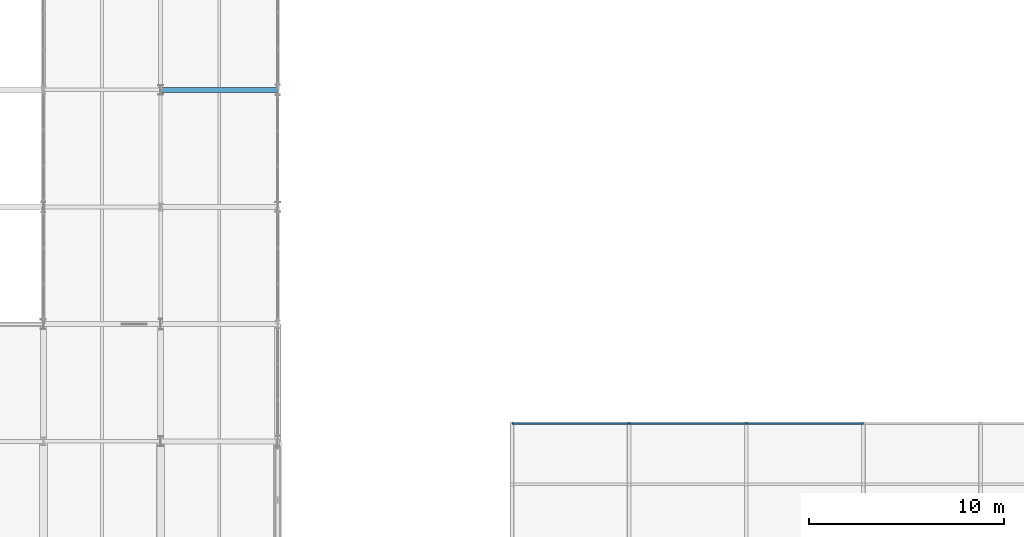
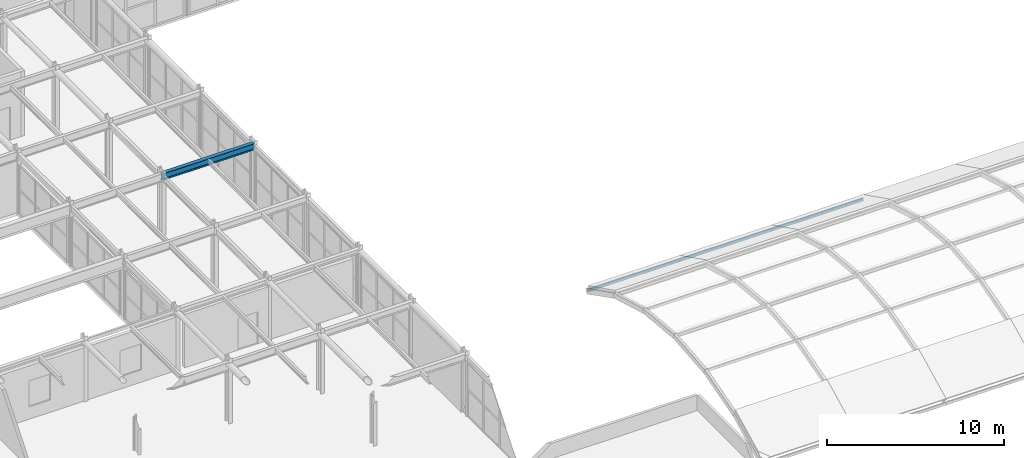
# One storey, part 28 of 84: 3 members, 1 beam.
"""IFC4 building model written with IfcOpenShell, lengths in metres."""

from ifc_helpers import new_model, si_unit, direction, frame, origin, origin_2d, place, context, subcontext, project, spatial, hollow_rectangle, i_section, extrude, material, material_profile, profile_set, type_object, element, save


model = new_model("IFC4")

# Units and contexts
model_context = context("Model", 3, precision=1e-05, world=origin(), true_north=direction((0.0, 1.0)))
body_context = subcontext(model_context, "Body", "Model", "MODEL_VIEW")
ifc_project = project(units=[si_unit("LENGTHUNIT", "METRE"), si_unit("AREAUNIT", "SQUARE_METRE"), si_unit("VOLUMEUNIT", "CUBIC_METRE"), si_unit("PLANEANGLEUNIT", "RADIAN"), si_unit("MASSUNIT", "GRAM", prefix="KILO")], contexts=[model_context])

# Site, building, storey
site_placement = place(None, origin())
site = spatial("IfcSite", under=ifc_project, at=site_placement, CompositionType="ELEMENT")
building_placement = place(site_placement, origin())
building = spatial("IfcBuilding", under=site, at=building_placement, Name="Varnakota Square Police Headquarters", CompositionType="ELEMENT")
storey_placement = place(building_placement, frame((0.0, 0.0, 13.5)))
storey = spatial("IfcBuildingStorey", under=building, at=storey_placement, Name="L03", CompositionType="ELEMENT", Elevation=13.5)

# Beam
ifc_material = material(Name="Steel IS 2062 Grade 350", Category="steel")
ifc_material_profile_1 = material_profile(ifc_material, i_section(OverallWidth=0.25, OverallDepth=0.449951171875, WebThickness=0.01123046875, FlangeThickness=0.013671875, FilletRadius=0.014892578125, at=origin_2d()), Name="ISHB 450")
ifc_profile_set_1 = profile_set([ifc_material_profile_1], Name="Steel IS 2062 Grade 350")
beam_type = type_object("IfcBeamType", Name="BM-ISHB450", PredefinedType="BEAM", material=ifc_profile_set_1)
beam_placement = place(storey_placement, frame((36.0, 51.0, 3.97509765625), z_axis=(1.0, 0.0, 0.0), x_axis=(0.0, 1.0, 0.0)))
element("IfcBeam", 1, at=beam_placement, inside=storey, type_object=beam_type, Name="BMG-L03-2495", PredefinedType="BEAM", context=body_context, shape_type="SweptSolid", body=[
    extrude(i_section(OverallWidth=0.25, OverallDepth=0.449951171875, WebThickness=0.01123046875, FlangeThickness=0.013671875, FilletRadius=0.014892578125, at=origin_2d()), origin(), (0.0, 0.0, 1.0), 6.0),
])

# Members
ifc_material_profile_2 = material_profile(ifc_material, hollow_rectangle(XDim=0.10009765625, YDim=0.199951171875, WallThickness=0.008056640625, InnerFilletRadius=0.008056640625, OuterFilletRadius=0.01611328125, at=origin_2d()), Name="RHS 200x100x8")
ifc_profile_set_2 = profile_set([ifc_material_profile_2], Name="Steel IS 2062 Grade 350")
member_type = type_object("IfcMemberType", Name="MEM-PUR-RHS200", PredefinedType="PURLIN", material=ifc_profile_set_2)
for number, where, z_axis, x_axis, name in (
    (2, (54.0, 33.902099609375, 0.144287109375), (1.0, 0.0, 0.0), (0.0, 1.0, 0.0), "Vault roof purlin V1-B01-N08"),
    (3, (60.0, 33.902099609375, 0.144287109375), (1.0, 0.0, 0.0), (0.0, 1.0, 0.0), "Vault roof purlin V1-B02-N08"),
    (4, (66.0, 33.902099609375, 0.144287109375), (1.0, 0.0, 0.0), (0.0, 1.0, 0.0), "Vault roof purlin V1-B03-N08"),
):
    element("IfcMember", number, at=place(storey_placement, frame(where, z_axis=z_axis, x_axis=x_axis)), inside=storey, type_object=member_type, Name=name, PredefinedType="PURLIN", context=body_context, shape_type="SweptSolid", body=[
        extrude(hollow_rectangle(XDim=0.10009765625, YDim=0.199951171875, WallThickness=0.008056640625, InnerFilletRadius=0.008056640625, OuterFilletRadius=0.01611328125, at=origin_2d()), origin(), (0.0, 0.0, 1.0), 6.0),
    ])

save(model, "model.ifc")
